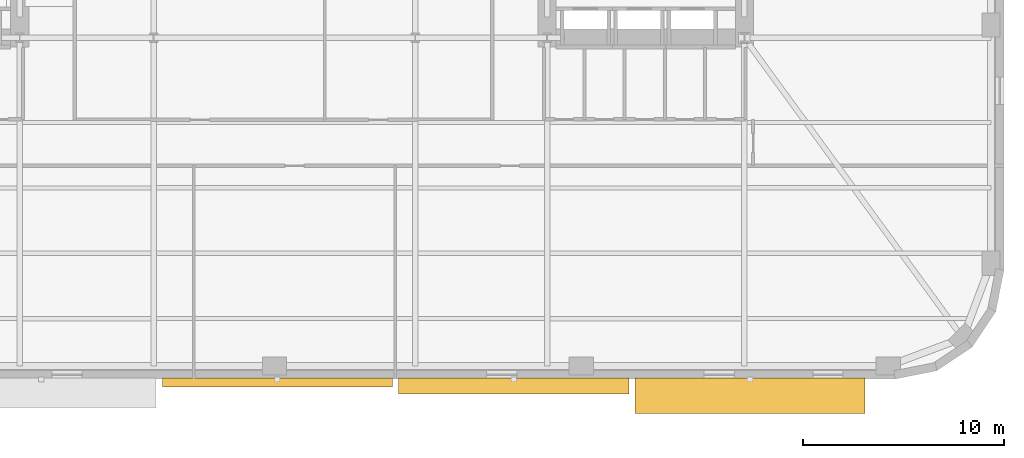
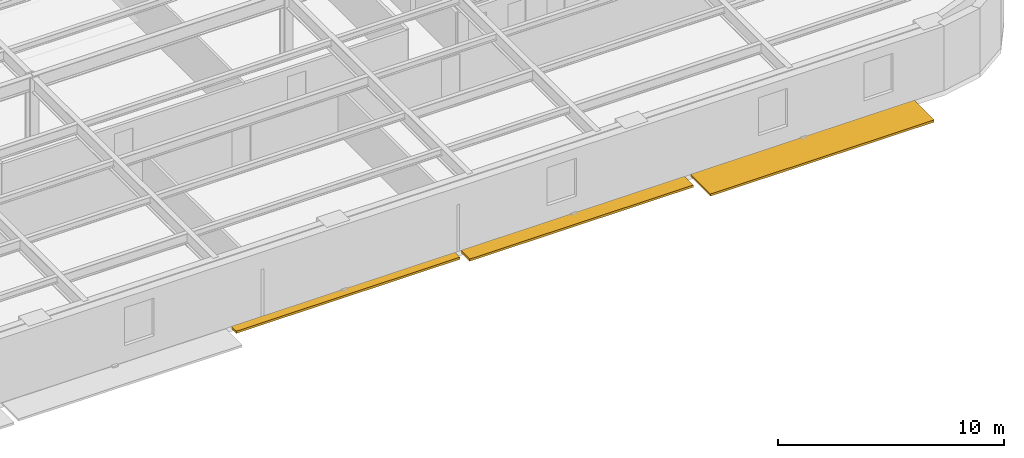
# One storey, part 11 of 15: 3 shading devices.
"""IFC4 building model written with IfcOpenShell, lengths in metres."""

from ifc_helpers import new_model, si_unit, direction, frame, origin, origin_2d, place, context, subcontext, project, spatial, rectangle, extrude, material, type_object, element, save


model = new_model("IFC4")

# Units and contexts
model_context = context("Model", 3, precision=1e-05, world=origin(), true_north=direction((0.0, 1.0)))
body_context = subcontext(model_context, "Body", "Model", "MODEL_VIEW")
ifc_project = project(units=[si_unit("LENGTHUNIT", "METRE"), si_unit("AREAUNIT", "SQUARE_METRE"), si_unit("VOLUMEUNIT", "CUBIC_METRE"), si_unit("PLANEANGLEUNIT", "RADIAN"), si_unit("MASSUNIT", "GRAM", prefix="KILO")], contexts=[model_context])

# Site, building, storey
site_placement = place(None, origin())
site = spatial("IfcSite", under=ifc_project, at=site_placement, CompositionType="ELEMENT")
building_placement = place(site_placement, origin())
building = spatial("IfcBuilding", under=site, at=building_placement, Name="Kolvaren Arena Tower", CompositionType="ELEMENT")
storey_placement = place(building_placement, frame((0.0, 0.0, 68.25)))
storey = spatial("IfcBuildingStorey", under=building, at=storey_placement, Name="L14", CompositionType="ELEMENT", Elevation=68.25)

# Shading devices
ifc_material = material(Name="Architectural precast GFRC and anodised aluminium sunshade", Category="concrete")
shading_device_type_1 = type_object("IfcShadingDeviceType", Name="SHAD-SINE-A", PredefinedType="USERDEFINED", material=ifc_material)
shading_device_1_placement = place(storey_placement, frame((48.889892578125, 2.156494140625, -0.14013671875), z_axis=(0.0, 0.0, 1.0), x_axis=(-1.0, 0.0, 0.0)))
element("IfcShadingDevice", 1, at=shading_device_1_placement, inside=storey, type_object=shading_device_type_1, Name="Sinusoidal Slab-Edge Sunshade Louvre (L14)", ObjectType="LOUVRE", PredefinedType="USERDEFINED", context=body_context, shape_type="SweptSolid", body=[
    extrude(rectangle(XDim=11.43994140625, YDim=0.787109375, at=origin_2d()), origin(), (0.0, 0.0, 1.0), 0.1201171875),
])
shading_device_2_placement = place(storey_placement, frame((37.14990234375, 2.328857421875, -0.14013671875), z_axis=(0.0, 0.0, 1.0), x_axis=(-1.0, 0.0, 0.0)))
element("IfcShadingDevice", 2, at=shading_device_2_placement, inside=storey, type_object=shading_device_type_1, Name="Sinusoidal Slab-Edge Sunshade Louvre (L14)", ObjectType="LOUVRE", PredefinedType="USERDEFINED", context=body_context, shape_type="SweptSolid", body=[
    extrude(rectangle(XDim=11.43994140625, YDim=0.4423828125, at=origin_2d()), origin(), (0.0, 0.0, 1.0), 0.1201171875),
])
shading_device_type_2 = type_object("IfcShadingDeviceType", Name="SHAD-SINE-B", PredefinedType="JALOUSIE", material=ifc_material)
shading_device_3_placement = place(storey_placement, frame((60.6298828125, 1.6669921875, -0.14013671875), z_axis=(0.0, 0.0, 1.0), x_axis=(-1.0, 0.0, 0.0)))
element("IfcShadingDevice", 3, at=shading_device_3_placement, inside=storey, type_object=shading_device_type_2, Name="Sinusoidal Slab-Edge Sunshade Louvre (L14)", PredefinedType="JALOUSIE", context=body_context, shape_type="SweptSolid", body=[
    extrude(rectangle(XDim=11.43994140625, YDim=1.766357421875, at=origin_2d()), origin(), (0.0, 0.0, 1.0), 0.1201171875),
])

save(model, "model.ifc")
